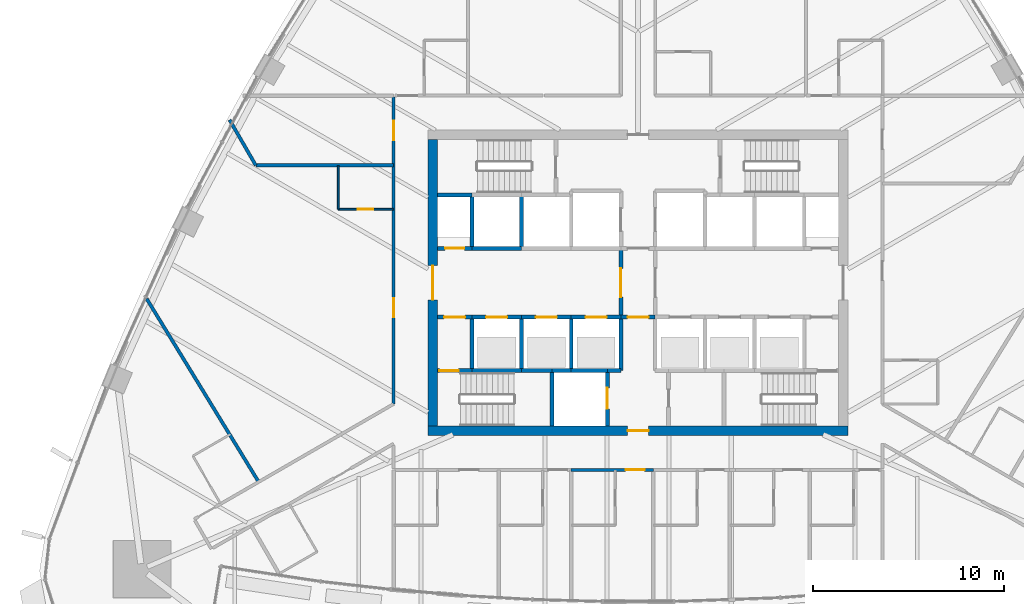
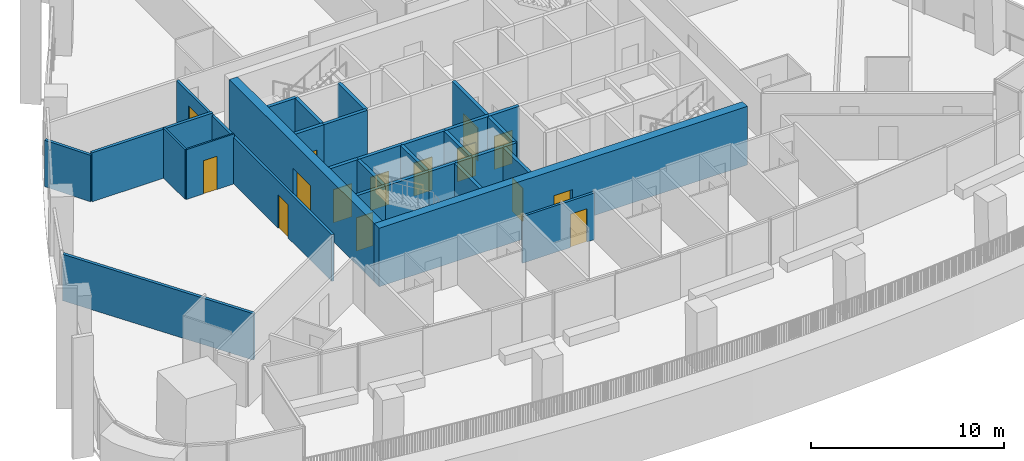
# One storey, part 11 of 25: 32 walls, 15 doors, 15 openings.
"""IFC4 building model written with IfcOpenShell, lengths in metres."""

from ifc_helpers import new_model, si_unit, direction, frame, frame_2d, origin, place, context, subcontext, project, spatial, rectangle, extrude, material, layer, layer_set, type_object, element, fill, save


model = new_model("IFC4")

# Units and contexts
model_context = context("Model", 3, precision=1e-05, world=origin(), true_north=direction((0.0, 1.0)))
body_context = subcontext(model_context, "Body", "Model", "MODEL_VIEW")
ifc_project = project(units=[si_unit("LENGTHUNIT", "METRE"), si_unit("AREAUNIT", "SQUARE_METRE"), si_unit("VOLUMEUNIT", "CUBIC_METRE"), si_unit("PLANEANGLEUNIT", "RADIAN"), si_unit("MASSUNIT", "GRAM", prefix="KILO")], contexts=[model_context])

# Site, building, storey
site_placement = place(None, origin())
site = spatial("IfcSite", under=ifc_project, at=site_placement, CompositionType="ELEMENT")
building_placement = place(site_placement, origin())
building = spatial("IfcBuilding", under=site, at=building_placement, Name="Sierra Prisma Convention Tower", CompositionType="ELEMENT")
storey_placement = place(building_placement, frame((0.0, 0.0, 88.699951171875)))
storey = spatial("IfcBuildingStorey", under=building, at=storey_placement, Name="L18", CompositionType="ELEMENT", Elevation=88.699951171875)

# Wall, opening, door
ifc_material_1 = material(Name="Gypsum board partition", Category="gypsum")
ifc_layer_1 = layer(ifc_material_1, 0.10009765625)
ifc_layer_set_1 = layer_set([ifc_layer_1], Name="Bathroom partition 100")
wall_type_1 = type_object("IfcWallType", Name="Bathroom partition 100", PredefinedType="PARTITIONING", material=ifc_layer_set_1)
wall_1_placement = place(storey_placement, frame((-12.830078125, 3.84912109375, 0.0), z_axis=(0.0, 0.0, 1.0), x_axis=(-1.0, 0.0, 0.0)))
wall_1 = element("IfcWall", 1, at=wall_1_placement, inside=storey, type_object=wall_type_1, Name="Partition L18 bath 5", PredefinedType="PARTITIONING", context=body_context, shape_type="SweptSolid", body=[
    extrude(rectangle(XDim=2.869873046875, YDim=0.10009765625, at=frame_2d((1.43505859375, 0.0))), origin(), (0.0, 0.0, 1.0), 3.150146484375),
])
opening_1_placement = place(wall_1_placement, frame((1.034912109375, 0.0, 0.0)))
opening_1 = element("IfcOpeningElement", 2, at=opening_1_placement, cuts=wall_1, Name="Opening L18-D009", PredefinedType="OPENING", context=body_context, shape_type="SweptSolid", body=[
    extrude(rectangle(XDim=0.800048828125, YDim=2.10009765625, at=frame_2d((0.39990234375, 1.050048828125))), frame((0.0, 0.050048828125, 0.0), z_axis=(0.0, -1.0, 0.0), x_axis=(1.0, 0.0, 0.0)), (0.0, 0.0, 1.0), 0.10009765625),
])
ifc_material_2 = material(Name="Solid core timber door leaf", Category="wood")
door_type_1 = type_object("IfcDoorType", Name="Door 800x2100 plain", OperationType="SINGLE_SWING_LEFT", PredefinedType="DOOR", material=ifc_material_2)
door_1_placement = place(opening_1_placement, origin())
door_1 = element("IfcDoor", 3, at=door_1_placement, inside=storey, type_object=door_type_1, Name="Door L18 14", OperationType="SINGLE_SWING_LEFT", OverallHeight=2.10009765625, OverallWidth=0.800048828125, PredefinedType="DOOR", context=body_context, shape_type="SweptSolid", body=[
    extrude(rectangle(XDim=0.800048828125, YDim=2.10009765625, at=frame_2d((0.39990234375, 1.050048828125))), frame((0.0, 0.02490234375, 0.0), z_axis=(0.0, -1.0, 0.0), x_axis=(1.0, 0.0, 0.0)), (0.0, 0.0, 1.0), 0.050048828125),
])
fill(opening_1, door_1)

# Wall
wall_2_placement = place(storey_placement, frame((-15.699951171875, 3.84912109375, 0.0), z_axis=(0.0, 0.0, 1.0), x_axis=(0.0, 1.0, 0.0)))
element("IfcWall", 4, at=wall_2_placement, inside=storey, type_object=wall_type_1, Name="Partition L18 bath 6", PredefinedType="PARTITIONING", context=body_context, shape_type="SweptSolid", body=[
    extrude(rectangle(XDim=2.27001953125, YDim=0.10009765625, at=frame_2d((1.135009765625, 0.0))), origin(), (0.0, 0.0, 1.0), 3.150146484375),
])

# Wall, opening, door
ifc_material_3 = material(Name="Concrete C30/37", Category="concrete")
ifc_layer_2 = layer(ifc_material_3, 0.199951171875)
ifc_layer_set_2 = layer_set([ifc_layer_2], Name="Core wall RC 200 C30/37")
wall_type_2 = type_object("IfcWallType", Name="Core wall RC 200 C30/37", PredefinedType="SOLIDWALL", material=ifc_layer_set_2)
wall_3_placement = place(storey_placement, frame((-10.5, -4.60009765625, 0.0), z_axis=(0.0, 0.0, 1.0), x_axis=(1.0, 0.0, 0.0)))
wall_3 = element("IfcWall", 5, at=wall_3_placement, inside=storey, type_object=wall_type_2, Name="Core wall L18 1", PredefinedType="SOLIDWALL", context=body_context, shape_type="SweptSolid", body=[
    extrude(rectangle(XDim=1.800048828125, YDim=0.199951171875, at=frame_2d((0.89990234375, 0.0))), origin(), (0.0, 0.0, 1.0), 3.550048828125),
])
opening_2_placement = place(wall_3_placement, frame((0.10009765625, 0.0, 0.0)))
opening_2 = element("IfcOpeningElement", 6, at=opening_2_placement, cuts=wall_3, Name="Opening L18-D036", PredefinedType="OPENING", context=body_context, shape_type="SweptSolid", body=[
    extrude(rectangle(XDim=1.0, YDim=2.10009765625, at=frame_2d((0.5, 1.050048828125))), frame((0.0, 0.10009765625, 0.0), z_axis=(0.0, -1.0, 0.0), x_axis=(1.0, 0.0, 0.0)), (0.0, 0.0, 1.0), 0.199951171875),
])
ifc_material_4 = material(Name="Steel fire door leaf", Category="steel")
door_type_2 = type_object("IfcDoorType", Name="Door 1000x2100 FD90S", OperationType="SINGLE_SWING_LEFT", PredefinedType="DOOR", material=ifc_material_4)
door_2_placement = place(opening_2_placement, origin())
door_2 = element("IfcDoor", 7, at=door_2_placement, inside=storey, type_object=door_type_2, Name="Door L18 52", OperationType="SINGLE_SWING_LEFT", OverallHeight=2.10009765625, OverallWidth=1.0, PredefinedType="DOOR", context=body_context, shape_type="SweptSolid", body=[
    extrude(rectangle(XDim=1.0, YDim=2.10009765625, at=frame_2d((0.5, 1.050048828125))), frame((0.0, 0.02490234375, 0.0), z_axis=(0.0, -1.0, 0.0), x_axis=(1.0, 0.0, 0.0)), (0.0, 0.0, 1.0), 0.050048828125),
])
fill(opening_2, door_2)

wall_4_placement = place(storey_placement, frame((-10.5, -1.800048828125, 0.0), z_axis=(0.0, 0.0, 1.0), x_axis=(1.0, 0.0, 0.0)))
wall_4 = element("IfcWall", 8, at=wall_4_placement, inside=storey, type_object=wall_type_2, Name="Core wall L18 2", PredefinedType="SOLIDWALL", context=body_context, shape_type="SweptSolid", body=[
    extrude(rectangle(XDim=1.800048828125, YDim=0.199951171875, at=frame_2d((0.89990234375, 0.0))), origin(), (0.0, 0.0, 1.0), 3.550048828125),
])
opening_3_placement = place(wall_4_placement, frame((0.35009765625, 0.0, 0.0)))
opening_3 = element("IfcOpeningElement", 9, at=opening_3_placement, cuts=wall_4, Name="Opening L18-D030", PredefinedType="OPENING", context=body_context, shape_type="SweptSolid", body=[
    extrude(rectangle(XDim=1.10009765625, YDim=2.10009765625, at=frame_2d((0.550048828125, 1.050048828125))), frame((0.0, 0.10009765625, 0.0), z_axis=(0.0, -1.0, 0.0), x_axis=(1.0, 0.0, 0.0)), (0.0, 0.0, 1.0), 0.199951171875),
])
ifc_material_5 = material(Name="Steel fire door leaf", Category="steel")
door_type_3 = type_object("IfcDoorType", Name="Door 1100x2100 FD90S", OperationType="SINGLE_SWING_LEFT", PredefinedType="DOOR", material=ifc_material_5)
door_3_placement = place(opening_3_placement, origin())
door_3 = element("IfcDoor", 10, at=door_3_placement, inside=storey, type_object=door_type_3, Name="Door L18 46", OperationType="SINGLE_SWING_RIGHT", OverallHeight=2.10009765625, OverallWidth=1.10009765625, PredefinedType="DOOR", context=body_context, shape_type="SweptSolid", body=[
    extrude(rectangle(XDim=1.10009765625, YDim=2.10009765625, at=frame_2d((0.550048828125, 1.050048828125))), frame((0.0, 0.02490234375, 0.0), z_axis=(0.0, -1.0, 0.0), x_axis=(1.0, 0.0, 0.0)), (0.0, 0.0, 1.0), 0.050048828125),
])
fill(opening_3, door_3)

wall_5_placement = place(storey_placement, frame((-8.699951171875, 1.800048828125, 0.0), z_axis=(0.0, 0.0, 1.0), x_axis=(-1.0, 0.0, 0.0)))
wall_5 = element("IfcWall", 11, at=wall_5_placement, inside=storey, type_object=wall_type_2, Name="Core wall L18 3", PredefinedType="SOLIDWALL", context=body_context, shape_type="SweptSolid", body=[
    extrude(rectangle(XDim=1.800048828125, YDim=0.199951171875, at=frame_2d((0.89990234375, 0.0))), origin(), (0.0, 0.0, 1.0), 3.550048828125),
])
opening_4_placement = place(wall_5_placement, frame((0.39990234375, 0.0, 0.0)))
opening_4 = element("IfcOpeningElement", 12, at=opening_4_placement, cuts=wall_5, Name="Opening L18-D034", PredefinedType="OPENING", context=body_context, shape_type="SweptSolid", body=[
    extrude(rectangle(XDim=1.0, YDim=2.10009765625, at=frame_2d((0.5, 1.050048828125))), frame((0.0, 0.10009765625, 0.0), z_axis=(0.0, -1.0, 0.0), x_axis=(1.0, 0.0, 0.0)), (0.0, 0.0, 1.0), 0.199951171875),
])
ifc_material_6 = material(Name="Steel fire door leaf", Category="steel")
door_type_4 = type_object("IfcDoorType", Name="Door 1000x2100 FD60S", OperationType="SINGLE_SWING_LEFT", PredefinedType="DOOR", material=ifc_material_6)
door_4_placement = place(opening_4_placement, origin())
door_4 = element("IfcDoor", 13, at=door_4_placement, inside=storey, type_object=door_type_4, Name="Door L18 50", OperationType="SINGLE_SWING_RIGHT", OverallHeight=2.10009765625, OverallWidth=1.0, PredefinedType="DOOR", context=body_context, shape_type="SweptSolid", body=[
    extrude(rectangle(XDim=1.0, YDim=2.10009765625, at=frame_2d((0.5, 1.050048828125))), frame((0.0, 0.02490234375, 0.0), z_axis=(0.0, -1.0, 0.0), x_axis=(1.0, 0.0, 0.0)), (0.0, 0.0, 1.0), 0.050048828125),
])
fill(opening_4, door_4)

# Walls
wall_6_placement = place(storey_placement, frame((-8.699951171875, 4.60009765625, 0.0), z_axis=(0.0, 0.0, 1.0), x_axis=(-1.0, 0.0, 0.0)))
element("IfcWall", 14, at=wall_6_placement, inside=storey, type_object=wall_type_2, Name="Core wall L18 4", PredefinedType="SOLIDWALL", context=body_context, shape_type="SweptSolid", body=[
    extrude(rectangle(XDim=1.800048828125, YDim=0.199951171875, at=frame_2d((0.89990234375, 0.0))), origin(), (0.0, 0.0, 1.0), 3.550048828125),
])
wall_7_placement = place(storey_placement, frame((-8.699951171875, -4.60009765625, 0.0), z_axis=(0.0, 0.0, 1.0), x_axis=(1.0, 0.0, 0.0)))
element("IfcWall", 15, at=wall_7_placement, inside=storey, type_object=wall_type_2, Name="Core wall L18 5", PredefinedType="SOLIDWALL", context=body_context, shape_type="SweptSolid", body=[
    extrude(rectangle(XDim=2.599853515625, YDim=0.199951171875, at=frame_2d((1.2998046875, 0.0))), origin(), (0.0, 0.0, 1.0), 3.550048828125),
])
wall_8_placement = place(storey_placement, frame((-8.699951171875, -4.60009765625, 0.0), z_axis=(0.0, 0.0, 1.0), x_axis=(0.0, 1.0, 0.0)))
element("IfcWall", 16, at=wall_8_placement, inside=storey, type_object=wall_type_2, Name="Core wall L18 6", PredefinedType="SOLIDWALL", context=body_context, shape_type="SweptSolid", body=[
    extrude(rectangle(XDim=2.800048828125, YDim=0.199951171875, at=frame_2d((1.39990234375, 0.0))), origin(), (0.0, 0.0, 1.0), 3.550048828125),
])

# Wall, opening, door
wall_9_placement = place(storey_placement, frame((-8.699951171875, -1.800048828125, 0.0), z_axis=(0.0, 0.0, 1.0), x_axis=(1.0, 0.0, 0.0)))
wall_9 = element("IfcWall", 17, at=wall_9_placement, inside=storey, type_object=wall_type_2, Name="Core wall L18 7", PredefinedType="SOLIDWALL", context=body_context, shape_type="SweptSolid", body=[
    extrude(rectangle(XDim=2.599853515625, YDim=0.199951171875, at=frame_2d((1.2998046875, 0.0))), origin(), (0.0, 0.0, 1.0), 3.550048828125),
])
opening_5_placement = place(wall_9_placement, frame((0.75, 0.0, 0.0)))
opening_5 = element("IfcOpeningElement", 18, at=opening_5_placement, cuts=wall_9, Name="Opening L18-D019", PredefinedType="OPENING", context=body_context, shape_type="SweptSolid", body=[
    extrude(rectangle(XDim=1.10009765625, YDim=2.10009765625, at=frame_2d((0.550048828125, 1.050048828125))), frame((0.0, 0.10009765625, 0.0), z_axis=(0.0, -1.0, 0.0), x_axis=(1.0, 0.0, 0.0)), (0.0, 0.0, 1.0), 0.199951171875),
])
ifc_material_7 = material(Name="Steel fire door leaf", Category="steel")
door_type_5 = type_object("IfcDoorType", Name="Door 1100x2100 EI 90 sliding lift landing", OperationType="SLIDING_TO_LEFT", PredefinedType="DOOR", material=ifc_material_7)
door_5_placement = place(opening_5_placement, origin())
door_5 = element("IfcDoor", 19, at=door_5_placement, inside=storey, type_object=door_type_5, Name="Door L18 35", OperationType="SLIDING_TO_LEFT", OverallHeight=2.10009765625, OverallWidth=1.10009765625, PredefinedType="DOOR", context=body_context, shape_type="SweptSolid", body=[
    extrude(rectangle(XDim=1.10009765625, YDim=2.10009765625, at=frame_2d((0.550048828125, 1.050048828125))), frame((0.0, 0.02490234375, 0.0), z_axis=(0.0, -1.0, 0.0), x_axis=(1.0, 0.0, 0.0)), (0.0, 0.0, 1.0), 0.050048828125),
])
fill(opening_5, door_5)

# Walls
wall_10_placement = place(storey_placement, frame((-6.10009765625, 1.800048828125, 0.0), z_axis=(0.0, 0.0, 1.0), x_axis=(-1.0, 0.0, 0.0)))
element("IfcWall", 20, at=wall_10_placement, inside=storey, type_object=wall_type_2, Name="Core wall L18 8", PredefinedType="SOLIDWALL", context=body_context, shape_type="SweptSolid", body=[
    extrude(rectangle(XDim=2.599853515625, YDim=0.199951171875, at=frame_2d((1.2998046875, 0.0))), origin(), (0.0, 0.0, 1.0), 3.550048828125),
])
wall_11_placement = place(storey_placement, frame((-8.699951171875, 1.800048828125, 0.0), z_axis=(0.0, 0.0, 1.0), x_axis=(0.0, 1.0, 0.0)))
element("IfcWall", 21, at=wall_11_placement, inside=storey, type_object=wall_type_2, Name="Core wall L18 9", PredefinedType="SOLIDWALL", context=body_context, shape_type="SweptSolid", body=[
    extrude(rectangle(XDim=2.800048828125, YDim=0.199951171875, at=frame_2d((1.39990234375, 0.0))), origin(), (0.0, 0.0, 1.0), 3.550048828125),
])
wall_12_placement = place(storey_placement, frame((-6.10009765625, -4.60009765625, 0.0), z_axis=(0.0, 0.0, 1.0), x_axis=(1.0, 0.0, 0.0)))
element("IfcWall", 22, at=wall_12_placement, inside=storey, type_object=wall_type_2, Name="Core wall L18 11", PredefinedType="SOLIDWALL", context=body_context, shape_type="SweptSolid", body=[
    extrude(rectangle(XDim=1.60009765625, YDim=0.199951171875, at=frame_2d((0.800048828125, 0.0))), origin(), (0.0, 0.0, 1.0), 3.550048828125),
])
wall_13_placement = place(storey_placement, frame((-6.10009765625, -4.60009765625, 0.0), z_axis=(0.0, 0.0, 1.0), x_axis=(0.0, 1.0, 0.0)))
element("IfcWall", 23, at=wall_13_placement, inside=storey, type_object=wall_type_2, Name="Core wall L18 12", PredefinedType="SOLIDWALL", context=body_context, shape_type="SweptSolid", body=[
    extrude(rectangle(XDim=2.800048828125, YDim=0.199951171875, at=frame_2d((1.39990234375, 0.0))), origin(), (0.0, 0.0, 1.0), 3.550048828125),
])

# Wall, opening, door
wall_14_placement = place(storey_placement, frame((-6.10009765625, -1.800048828125, 0.0), z_axis=(0.0, 0.0, 1.0), x_axis=(1.0, 0.0, 0.0)))
wall_14 = element("IfcWall", 24, at=wall_14_placement, inside=storey, type_object=wall_type_2, Name="Core wall L18 13", PredefinedType="SOLIDWALL", context=body_context, shape_type="SweptSolid", body=[
    extrude(rectangle(XDim=2.60009765625, YDim=0.199951171875, at=frame_2d((1.300048828125, 0.0))), origin(), (0.0, 0.0, 1.0), 3.550048828125),
])
opening_6_placement = place(wall_14_placement, frame((0.75, 0.0, 0.0)))
opening_6 = element("IfcOpeningElement", 25, at=opening_6_placement, cuts=wall_14, Name="Opening L18-D020", PredefinedType="OPENING", context=body_context, shape_type="SweptSolid", body=[
    extrude(rectangle(XDim=1.10009765625, YDim=2.10009765625, at=frame_2d((0.550048828125, 1.050048828125))), frame((0.0, 0.10009765625, 0.0), z_axis=(0.0, -1.0, 0.0), x_axis=(1.0, 0.0, 0.0)), (0.0, 0.0, 1.0), 0.199951171875),
])
door_6_placement = place(opening_6_placement, origin())
door_6 = element("IfcDoor", 26, at=door_6_placement, inside=storey, type_object=door_type_5, Name="Door L18 36", OperationType="SLIDING_TO_RIGHT", OverallHeight=2.10009765625, OverallWidth=1.10009765625, PredefinedType="DOOR", context=body_context, shape_type="SweptSolid", body=[
    extrude(rectangle(XDim=1.10009765625, YDim=2.10009765625, at=frame_2d((0.550048828125, 1.050048828125))), frame((0.0, 0.02490234375, 0.0), z_axis=(0.0, -1.0, 0.0), x_axis=(1.0, 0.0, 0.0)), (0.0, 0.0, 1.0), 0.050048828125),
])
fill(opening_6, door_6)

# Walls
wall_15_placement = place(storey_placement, frame((-6.10009765625, 1.800048828125, 0.0), z_axis=(0.0, 0.0, 1.0), x_axis=(0.0, 1.0, 0.0)))
element("IfcWall", 27, at=wall_15_placement, inside=storey, type_object=wall_type_2, Name="Core wall L18 15", PredefinedType="SOLIDWALL", context=body_context, shape_type="SweptSolid", body=[
    extrude(rectangle(XDim=2.800048828125, YDim=0.199951171875, at=frame_2d((1.39990234375, 0.0))), origin(), (0.0, 0.0, 1.0), 3.550048828125),
])
wall_16_placement = place(storey_placement, frame((-4.5, -4.60009765625, 0.0), z_axis=(0.0, 0.0, 1.0), x_axis=(0.0, -1.0, 0.0)))
element("IfcWall", 28, at=wall_16_placement, inside=storey, type_object=wall_type_2, Name="Core wall L18 17", PredefinedType="SOLIDWALL", context=body_context, shape_type="SweptSolid", body=[
    extrude(rectangle(XDim=2.89990234375, YDim=0.199951171875, at=frame_2d((1.449951171875, 0.0))), origin(), (0.0, 0.0, 1.0), 3.550048828125),
])
wall_17_placement = place(storey_placement, frame((-4.5, -4.60009765625, 0.0), z_axis=(0.0, 0.0, 1.0), x_axis=(1.0, 0.0, 0.0)))
element("IfcWall", 29, at=wall_17_placement, inside=storey, type_object=wall_type_2, Name="Core wall L18 18", PredefinedType="SOLIDWALL", context=body_context, shape_type="SweptSolid", body=[
    extrude(rectangle(XDim=1.0, YDim=0.199951171875, at=frame_2d((0.5, 0.0))), origin(), (0.0, 0.0, 1.0), 3.550048828125),
])
wall_18_placement = place(storey_placement, frame((-3.5, -4.60009765625, 0.0), z_axis=(0.0, 0.0, 1.0), x_axis=(1.0, 0.0, 0.0)))
element("IfcWall", 30, at=wall_18_placement, inside=storey, type_object=wall_type_2, Name="Core wall L18 21", PredefinedType="SOLIDWALL", context=body_context, shape_type="SweptSolid", body=[
    extrude(rectangle(XDim=1.89990234375, YDim=0.199951171875, at=frame_2d((0.949951171875, 0.0))), origin(), (0.0, 0.0, 1.0), 3.550048828125),
])
wall_19_placement = place(storey_placement, frame((-3.5, -4.60009765625, 0.0), z_axis=(0.0, 0.0, 1.0), x_axis=(0.0, 1.0, 0.0)))
element("IfcWall", 31, at=wall_19_placement, inside=storey, type_object=wall_type_2, Name="Core wall L18 22", PredefinedType="SOLIDWALL", context=body_context, shape_type="SweptSolid", body=[
    extrude(rectangle(XDim=2.800048828125, YDim=0.199951171875, at=frame_2d((1.39990234375, 0.0))), origin(), (0.0, 0.0, 1.0), 3.550048828125),
])

# Wall, opening, door
wall_20_placement = place(storey_placement, frame((-3.5, -1.800048828125, 0.0), z_axis=(0.0, 0.0, 1.0), x_axis=(1.0, 0.0, 0.0)))
wall_20 = element("IfcWall", 32, at=wall_20_placement, inside=storey, type_object=wall_type_2, Name="Core wall L18 23", PredefinedType="SOLIDWALL", context=body_context, shape_type="SweptSolid", body=[
    extrude(rectangle(XDim=2.60009765625, YDim=0.199951171875, at=frame_2d((1.300048828125, 0.0))), origin(), (0.0, 0.0, 1.0), 3.550048828125),
])
opening_7_placement = place(wall_20_placement, frame((0.75, 0.0, 0.0)))
opening_7 = element("IfcOpeningElement", 33, at=opening_7_placement, cuts=wall_20, Name="Opening L18-D021", PredefinedType="OPENING", context=body_context, shape_type="SweptSolid", body=[
    extrude(rectangle(XDim=1.10009765625, YDim=2.10009765625, at=frame_2d((0.550048828125, 1.050048828125))), frame((0.0, 0.10009765625, 0.0), z_axis=(0.0, -1.0, 0.0), x_axis=(1.0, 0.0, 0.0)), (0.0, 0.0, 1.0), 0.199951171875),
])
door_7_placement = place(opening_7_placement, origin())
door_7 = element("IfcDoor", 34, at=door_7_placement, inside=storey, type_object=door_type_5, Name="Door L18 37", OperationType="SLIDING_TO_RIGHT", OverallHeight=2.10009765625, OverallWidth=1.10009765625, PredefinedType="DOOR", context=body_context, shape_type="SweptSolid", body=[
    extrude(rectangle(XDim=1.10009765625, YDim=2.10009765625, at=frame_2d((0.550048828125, 1.050048828125))), frame((0.0, 0.02490234375, 0.0), z_axis=(0.0, -1.0, 0.0), x_axis=(1.0, 0.0, 0.0)), (0.0, 0.0, 1.0), 0.050048828125),
])
fill(opening_7, door_7)

wall_21_placement = place(storey_placement, frame((-1.60009765625, -7.5, 0.0), z_axis=(0.0, 0.0, 1.0), x_axis=(0.0, 1.0, 0.0)))
wall_21 = element("IfcWall", 35, at=wall_21_placement, inside=storey, type_object=wall_type_2, Name="Core wall L18 29", PredefinedType="SOLIDWALL", context=body_context, shape_type="SweptSolid", body=[
    extrude(rectangle(XDim=2.89990234375, YDim=0.199951171875, at=frame_2d((1.449951171875, 0.0))), origin(), (0.0, 0.0, 1.0), 3.550048828125),
])
opening_8_placement = place(wall_21_placement, frame((0.89990234375, 0.0, 0.0)))
opening_8 = element("IfcOpeningElement", 36, at=opening_8_placement, cuts=wall_21, Name="Opening L18-D027", PredefinedType="OPENING", context=body_context, shape_type="SweptSolid", body=[
    extrude(rectangle(XDim=1.10009765625, YDim=2.10009765625, at=frame_2d((0.550048828125, 1.050048828125))), frame((0.0, 0.10009765625, 0.0), z_axis=(0.0, -1.0, 0.0), x_axis=(1.0, 0.0, 0.0)), (0.0, 0.0, 1.0), 0.199951171875),
])
door_8_placement = place(opening_8_placement, origin())
door_8 = element("IfcDoor", 37, at=door_8_placement, inside=storey, type_object=door_type_5, Name="Door L18 43", OperationType="SLIDING_TO_RIGHT", OverallHeight=2.10009765625, OverallWidth=1.10009765625, PredefinedType="DOOR", context=body_context, shape_type="SweptSolid", body=[
    extrude(rectangle(XDim=1.10009765625, YDim=2.10009765625, at=frame_2d((0.550048828125, 1.050048828125))), frame((0.0, 0.02490234375, 0.0), z_axis=(0.0, -1.0, 0.0), x_axis=(1.0, 0.0, 0.0)), (0.0, 0.0, 1.0), 0.050048828125),
])
fill(opening_8, door_8)

# Walls
wall_22_placement = place(storey_placement, frame((-1.60009765625, -4.60009765625, 0.0), z_axis=(0.0, 0.0, 1.0), x_axis=(1.0, 0.0, 0.0)))
element("IfcWall", 38, at=wall_22_placement, inside=storey, type_object=wall_type_2, Name="Core wall L18 30", PredefinedType="SOLIDWALL", context=body_context, shape_type="SweptSolid", body=[
    extrude(rectangle(XDim=0.7001953125, YDim=0.199951171875, at=frame_2d((0.35009765625, 0.0))), origin(), (0.0, 0.0, 1.0), 3.550048828125),
])
wall_23_placement = place(storey_placement, frame((-0.89990234375, -4.60009765625, 0.0), z_axis=(0.0, 0.0, 1.0), x_axis=(0.0, 1.0, 0.0)))
element("IfcWall", 39, at=wall_23_placement, inside=storey, type_object=wall_type_2, Name="Core wall L18 31", PredefinedType="SOLIDWALL", context=body_context, shape_type="SweptSolid", body=[
    extrude(rectangle(XDim=2.800048828125, YDim=0.199951171875, at=frame_2d((1.39990234375, 0.0))), origin(), (0.0, 0.0, 1.0), 3.550048828125),
])

# Wall, opening, door
wall_24_placement = place(storey_placement, frame((-0.89990234375, -1.800048828125, 0.0), z_axis=(0.0, 0.0, 1.0), x_axis=(1.0, 0.0, 0.0)))
wall_24 = element("IfcWall", 40, at=wall_24_placement, inside=storey, type_object=wall_type_2, Name="Core wall L18 32", PredefinedType="SOLIDWALL", context=body_context, shape_type="SweptSolid", body=[
    extrude(rectangle(XDim=1.7998046875, YDim=0.199951171875, at=frame_2d((0.89990234375, 0.0))), origin(), (0.0, 0.0, 1.0), 3.550048828125),
])
opening_9_placement = place(wall_24_placement, frame((0.35009765625, 0.0, 0.0)))
opening_9 = element("IfcOpeningElement", 41, at=opening_9_placement, cuts=wall_24, Name="Opening L18-D033", PredefinedType="OPENING", context=body_context, shape_type="SweptSolid", body=[
    extrude(rectangle(XDim=1.10009765625, YDim=2.10009765625, at=frame_2d((0.550048828125, 1.050048828125))), frame((0.0, 0.10009765625, 0.0), z_axis=(0.0, -1.0, 0.0), x_axis=(1.0, 0.0, 0.0)), (0.0, 0.0, 1.0), 0.199951171875),
])
ifc_material_8 = material(Name="Steel fire door leaf", Category="steel")
door_type_6 = type_object("IfcDoorType", Name="Door 1100x2100 FD30S", OperationType="SINGLE_SWING_LEFT", PredefinedType="DOOR", material=ifc_material_8)
door_9_placement = place(opening_9_placement, origin())
door_9 = element("IfcDoor", 42, at=door_9_placement, inside=storey, type_object=door_type_6, Name="Door L18 49", OperationType="SINGLE_SWING_RIGHT", OverallHeight=2.10009765625, OverallWidth=1.10009765625, PredefinedType="DOOR", context=body_context, shape_type="SweptSolid", body=[
    extrude(rectangle(XDim=1.10009765625, YDim=2.10009765625, at=frame_2d((0.550048828125, 1.050048828125))), frame((0.0, 0.02490234375, 0.0), z_axis=(0.0, -1.0, 0.0), x_axis=(1.0, 0.0, 0.0)), (0.0, 0.0, 1.0), 0.050048828125),
])
fill(opening_9, door_9)

wall_25_placement = place(storey_placement, frame((-0.89990234375, 1.800048828125, 0.0), z_axis=(0.0, 0.0, 1.0), x_axis=(0.0, -1.0, 0.0)))
wall_25 = element("IfcWall", 43, at=wall_25_placement, inside=storey, type_object=wall_type_2, Name="Core wall L18 33", PredefinedType="SOLIDWALL", context=body_context, shape_type="SweptSolid", body=[
    extrude(rectangle(XDim=3.60009765625, YDim=0.199951171875, at=frame_2d((1.800048828125, 0.0))), origin(), (0.0, 0.0, 1.0), 3.550048828125),
])
opening_10_placement = place(wall_25_placement, frame((1.050048828125, 0.0, 0.0)))
opening_10 = element("IfcOpeningElement", 44, at=opening_10_placement, cuts=wall_25, Name="Opening L18-D028", PredefinedType="OPENING", context=body_context, shape_type="SweptSolid", body=[
    extrude(rectangle(XDim=1.5, YDim=2.10009765625, at=frame_2d((0.75, 1.050048828125))), frame((0.0, 0.10009765625, 0.0), z_axis=(0.0, -1.0, 0.0), x_axis=(1.0, 0.0, 0.0)), (0.0, 0.0, 1.0), 0.199951171875),
])
ifc_material_9 = material(Name="Steel fire door leaf", Category="steel")
door_type_7 = type_object("IfcDoorType", Name="Door 1500x2100 FD30S", OperationType="DOUBLE_DOOR_SINGLE_SWING", PredefinedType="DOOR", material=ifc_material_9)
door_10_placement = place(opening_10_placement, origin())
door_10 = element("IfcDoor", 45, at=door_10_placement, inside=storey, type_object=door_type_7, Name="Door L18 44", OperationType="DOUBLE_DOOR_SINGLE_SWING", OverallHeight=2.10009765625, OverallWidth=1.5, PredefinedType="DOOR", context=body_context, shape_type="SweptSolid", body=[
    extrude(rectangle(XDim=1.5, YDim=2.10009765625, at=frame_2d((0.75, 1.050048828125))), frame((0.0, 0.02490234375, 0.0), z_axis=(0.0, -1.0, 0.0), x_axis=(1.0, 0.0, 0.0)), (0.0, 0.0, 1.0), 0.050048828125),
])
fill(opening_10, door_10)

ifc_material_10 = material(Name="Concrete C60/75", Category="concrete")
ifc_layer_3 = layer(ifc_material_10, 0.5)
ifc_layer_set_3 = layer_set([ifc_layer_3], Name="Core wall RC 500 C60/75")
wall_type_3 = type_object("IfcWallType", Name="Core wall RC 500 C60/75", PredefinedType="SHEAR", material=ifc_layer_set_3)
wall_26_placement = place(storey_placement, frame((-11.0, -7.75, 0.0), z_axis=(0.0, 0.0, 1.0), x_axis=(1.0, 0.0, 0.0)))
wall_26 = element("IfcWall", 46, at=wall_26_placement, inside=storey, type_object=wall_type_3, Name="Core wall S L18", PredefinedType="SHEAR", context=body_context, shape_type="SweptSolid", body=[
    extrude(rectangle(XDim=22.0, YDim=0.5, at=frame_2d((11.0, 0.0))), origin(), (0.0, 0.0, 1.0), 3.699951171875),
])
opening_11_placement = place(wall_26_placement, frame((10.449951171875, 0.0, 0.0)))
opening_11 = element("IfcOpeningElement", 47, at=opening_11_placement, cuts=wall_26, Name="Opening L18-D062", PredefinedType="OPENING", context=body_context, shape_type="SweptSolid", body=[
    extrude(rectangle(XDim=1.10009765625, YDim=2.10009765625, at=frame_2d((0.550048828125, 1.050048828125))), frame((0.0, 0.25, 0.0), z_axis=(0.0, -1.0, 0.0), x_axis=(1.0, 0.0, 0.0)), (0.0, 0.0, 1.0), 0.5),
])
door_11_placement = place(opening_11_placement, origin())
door_11 = element("IfcDoor", 48, at=door_11_placement, inside=storey, type_object=door_type_6, Name="Door L18 60", OperationType="SINGLE_SWING_LEFT", OverallHeight=2.10009765625, OverallWidth=1.10009765625, PredefinedType="DOOR", context=body_context, shape_type="SweptSolid", body=[
    extrude(rectangle(XDim=1.10009765625, YDim=2.10009765625, at=frame_2d((0.550048828125, 1.050048828125))), frame((0.0, 0.02490234375, 0.0), z_axis=(0.0, -1.0, 0.0), x_axis=(1.0, 0.0, 0.0)), (0.0, 0.0, 1.0), 0.050048828125),
])
fill(opening_11, door_11)

wall_27_placement = place(storey_placement, frame((-10.75, -7.5, 0.0), z_axis=(0.0, 0.0, 1.0), x_axis=(0.0, 1.0, 0.0)))
wall_27 = element("IfcWall", 49, at=wall_27_placement, inside=storey, type_object=wall_type_3, Name="Core wall W L18", PredefinedType="SHEAR", context=body_context, shape_type="SweptSolid", body=[
    extrude(rectangle(XDim=15.0, YDim=0.5, at=frame_2d((7.5, 0.0))), origin(), (0.0, 0.0, 1.0), 3.699951171875),
])
opening_12_placement = place(wall_27_placement, frame((6.60009765625, 0.0, 0.0)))
opening_12 = element("IfcOpeningElement", 50, at=opening_12_placement, cuts=wall_27, Name="Opening L18-D063", PredefinedType="OPENING", context=body_context, shape_type="SweptSolid", body=[
    extrude(rectangle(XDim=1.800048828125, YDim=2.10009765625, at=frame_2d((0.89990234375, 1.050048828125))), frame((0.0, 0.25, 0.0), z_axis=(0.0, -1.0, 0.0), x_axis=(1.0, 0.0, 0.0)), (0.0, 0.0, 1.0), 0.5),
])
ifc_material_11 = material(Name="Steel fire door leaf", Category="steel")
door_type_8 = type_object("IfcDoorType", Name="Door 1800x2100 FD60S", OperationType="DOUBLE_DOOR_SINGLE_SWING", PredefinedType="DOOR", material=ifc_material_11)
door_12_placement = place(opening_12_placement, origin())
door_12 = element("IfcDoor", 51, at=door_12_placement, inside=storey, type_object=door_type_8, Name="Door L18 57", OperationType="DOUBLE_DOOR_SINGLE_SWING", OverallHeight=2.10009765625, OverallWidth=1.800048828125, PredefinedType="DOOR", context=body_context, shape_type="SweptSolid", body=[
    extrude(rectangle(XDim=1.800048828125, YDim=2.10009765625, at=frame_2d((0.89990234375, 1.050048828125))), frame((0.0, 0.02490234375, 0.0), z_axis=(0.0, -1.0, 0.0), x_axis=(1.0, 0.0, 0.0)), (0.0, 0.0, 1.0), 0.050048828125),
])
fill(opening_12, door_12)

# Wall, openings, doors
ifc_material_12 = material(Name="Gypsum board partition", Category="gypsum")
ifc_layer_4 = layer(ifc_material_12, 0.14990234375)
ifc_layer_set_4 = layer_set([ifc_layer_4], Name="Corridor wall 150 gypsum EI 60")
wall_type_4 = type_object("IfcWallType", Name="Corridor wall 150 gypsum EI 60", PredefinedType="PARTITIONING", material=ifc_layer_set_4)
wall_28_placement = place(storey_placement, frame((-12.800048828125, 9.719970703125, 0.0), z_axis=(0.0, 0.0, 1.0), x_axis=(0.0, -1.0, 0.0)))
wall_28 = element("IfcWall", 52, at=wall_28_placement, inside=storey, type_object=wall_type_4, Name="Partition L18 corr 5", PredefinedType="PARTITIONING", context=body_context, shape_type="SweptSolid", body=[
    extrude(rectangle(XDim=16.07080078125, YDim=0.14990234375, at=frame_2d((8.035400390625, 0.0))), origin(), (0.0, 0.0, 1.0), 2.947021484375),
])
opening_13_placement = place(wall_28_placement, frame((1.245361328125, 0.0, 0.0)))
opening_13 = element("IfcOpeningElement", 53, at=opening_13_placement, cuts=wall_28, Name="Opening L18-D047", PredefinedType="OPENING", context=body_context, shape_type="SweptSolid", body=[
    extrude(rectangle(XDim=1.0, YDim=2.10009765625, at=frame_2d((0.5, 1.050048828125))), frame((0.0, 0.074951171875, 0.0), z_axis=(0.0, -1.0, 0.0), x_axis=(1.0, 0.0, 0.0)), (0.0, 0.0, 1.0), 0.14990234375),
])
opening_14_placement = place(wall_28_placement, frame((10.52099609375, 0.0, 0.0)))
opening_14 = element("IfcOpeningElement", 54, at=opening_14_placement, cuts=wall_28, Name="Opening L18-D048", PredefinedType="OPENING", context=body_context, shape_type="SweptSolid", body=[
    extrude(rectangle(XDim=1.0, YDim=2.10009765625, at=frame_2d((0.5, 1.050048828125))), frame((0.0, 0.074951171875, 0.0), z_axis=(0.0, -1.0, 0.0), x_axis=(1.0, 0.0, 0.0)), (0.0, 0.0, 1.0), 0.14990234375),
])
ifc_material_13 = material(Name="Steel fire door leaf", Category="steel")
door_type_9 = type_object("IfcDoorType", Name="Door 1000x2100 FD30S", OperationType="SINGLE_SWING_LEFT", PredefinedType="DOOR", material=ifc_material_13)
door_13_placement = place(opening_13_placement, origin())
door_13 = element("IfcDoor", 55, at=door_13_placement, inside=storey, type_object=door_type_9, Name="Door L18 12", OperationType="SINGLE_SWING_LEFT", OverallHeight=2.10009765625, OverallWidth=1.0, PredefinedType="DOOR", context=body_context, shape_type="SweptSolid", body=[
    extrude(rectangle(XDim=1.0, YDim=2.10009765625, at=frame_2d((0.5, 1.050048828125))), frame((0.0, 0.02490234375, 0.0), z_axis=(0.0, -1.0, 0.0), x_axis=(1.0, 0.0, 0.0)), (0.0, 0.0, 1.0), 0.050048828125),
])
fill(opening_13, door_13)
door_14_placement = place(opening_14_placement, origin())
door_14 = element("IfcDoor", 56, at=door_14_placement, inside=storey, type_object=door_type_9, Name="Door L18 13", OperationType="SINGLE_SWING_RIGHT", OverallHeight=2.10009765625, OverallWidth=1.0, PredefinedType="DOOR", context=body_context, shape_type="SweptSolid", body=[
    extrude(rectangle(XDim=1.0, YDim=2.10009765625, at=frame_2d((0.5, 1.050048828125))), frame((0.0, 0.02490234375, 0.0), z_axis=(0.0, -1.0, 0.0), x_axis=(1.0, 0.0, 0.0)), (0.0, 0.0, 1.0), 0.050048828125),
])
fill(opening_14, door_14)

# Wall, opening, door
wall_29_placement = place(storey_placement, frame((-3.5, -9.800048828125, 0.0), z_axis=(0.0, 0.0, 1.0), x_axis=(1.0, 0.0, 0.0)))
wall_29 = element("IfcWall", 57, at=wall_29_placement, inside=storey, type_object=wall_type_4, Name="Partition L18 corr 10", PredefinedType="PARTITIONING", context=body_context, shape_type="SweptSolid", body=[
    extrude(rectangle(XDim=4.299072265625, YDim=0.14990234375, at=frame_2d((2.1494140625, 0.0))), origin(), (0.0, 0.0, 1.0), 2.947021484375),
])
opening_15_placement = place(wall_29_placement, frame((2.849609375, 0.0, 0.0)))
opening_15 = element("IfcOpeningElement", 58, at=opening_15_placement, cuts=wall_29, Name="Opening L18-D053", PredefinedType="OPENING", context=body_context, shape_type="SweptSolid", body=[
    extrude(rectangle(XDim=1.0, YDim=2.10009765625, at=frame_2d((0.5, 1.050048828125))), frame((0.0, 0.074951171875, 0.0), z_axis=(0.0, -1.0, 0.0), x_axis=(1.0, 0.0, 0.0)), (0.0, 0.0, 1.0), 0.14990234375),
])
door_15_placement = place(opening_15_placement, origin())
door_15 = element("IfcDoor", 59, at=door_15_placement, inside=storey, type_object=door_type_9, Name="Door L18 23", OperationType="SINGLE_SWING_LEFT", OverallHeight=2.10009765625, OverallWidth=1.0, PredefinedType="DOOR", context=body_context, shape_type="SweptSolid", body=[
    extrude(rectangle(XDim=1.0, YDim=2.10009765625, at=frame_2d((0.5, 1.050048828125))), frame((0.0, 0.02490234375, 0.0), z_axis=(0.0, -1.0, 0.0), x_axis=(1.0, 0.0, 0.0)), (0.0, 0.0, 1.0), 0.050048828125),
])
fill(opening_15, door_15)

# Walls
ifc_material_14 = material(Name="Acoustic gypsum board partition", Category="gypsum")
ifc_layer_5 = layer(ifc_material_14, 0.175048828125)
ifc_layer_set_5 = layer_set([ifc_layer_5], Name="Guest room party wall 175 acoustic EI 60")
wall_type_5 = type_object("IfcWallType", Name="Guest room party wall 175 acoustic EI 60", PredefinedType="PARTITIONING", material=ifc_layer_set_5)
wall_30_placement = place(storey_placement, frame((-19.865966796875, -10.430419921875, 0.0), z_axis=(0.0, 0.0, 1.0), x_axis=(-0.521604569483, 0.853187361073, 0.0)))
element("IfcWall", 60, at=wall_30_placement, inside=storey, type_object=wall_type_5, Name="Partition L18 hparty 1", PredefinedType="PARTITIONING", context=body_context, shape_type="SweptSolid", body=[
    extrude(rectangle(XDim=11.24462890625, YDim=0.175048828125, at=frame_2d((5.622314453125, 0.0))), origin(), (0.0, 0.0, 1.0), 2.93408203125),
])
wall_31_placement = place(storey_placement, frame((-21.390380859375, 8.52783203125, 0.0), z_axis=(0.0, 0.0, 1.0), x_axis=(0.500058417122, -0.865991674016, 0.0)))
element("IfcWall", 61, at=wall_31_placement, inside=storey, type_object=wall_type_5, Name="Partition L18 hparty 2", PredefinedType="PARTITIONING", context=body_context, shape_type="SweptSolid", body=[
    extrude(rectangle(XDim=2.746826171875, YDim=0.175048828125, at=frame_2d((1.37353515625, 0.0))), origin(), (0.0, 0.0, 1.0), 2.93408203125),
])
wall_32_placement = place(storey_placement, frame((-20.016845703125, 6.149169921875, 0.0), z_axis=(0.0, 0.0, 1.0), x_axis=(1.0, 0.0, 0.0)))
element("IfcWall", 62, at=wall_32_placement, inside=storey, type_object=wall_type_5, Name="Partition L18 hparty 3", PredefinedType="PARTITIONING", context=body_context, shape_type="SweptSolid", body=[
    extrude(rectangle(XDim=7.216796875, YDim=0.175048828125, at=frame_2d((3.6083984375, 0.0))), origin(), (0.0, 0.0, 1.0), 3.093017578125),
])

save(model, "model.ifc")
